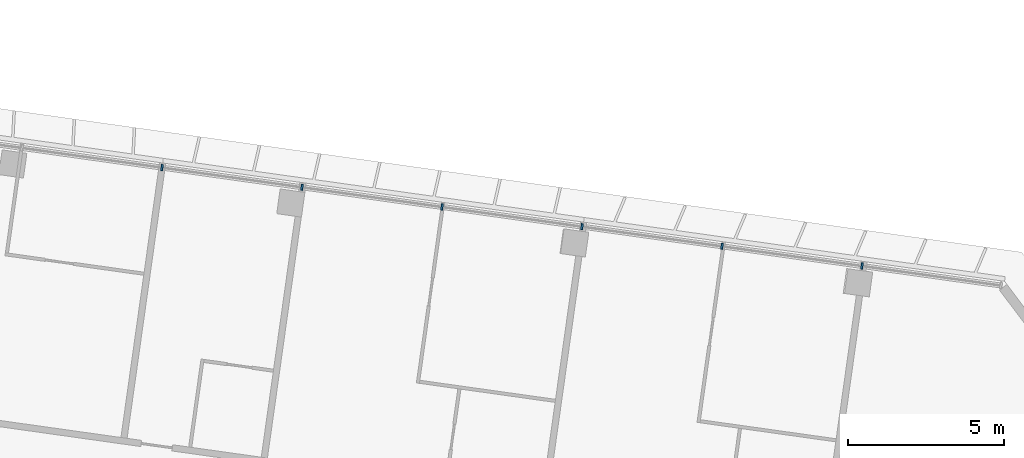
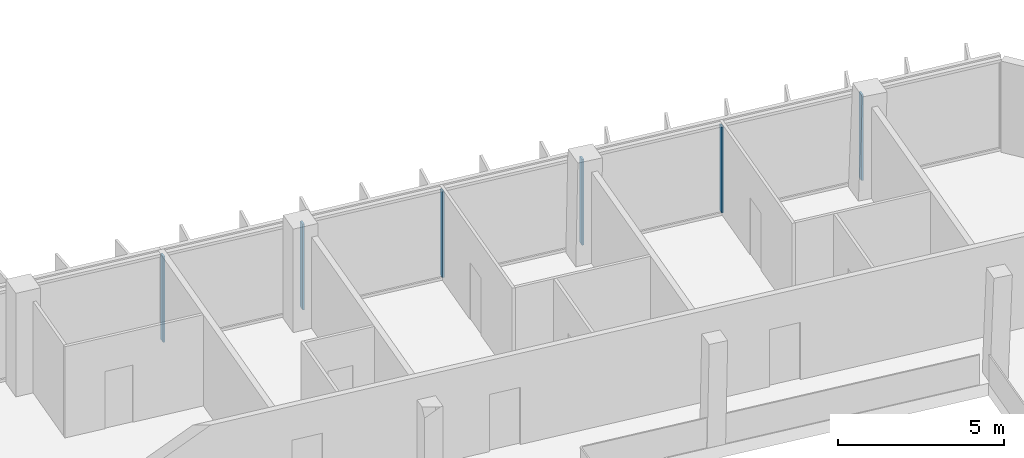
# One storey, part 5 of 25: 6 members, 1 element without a shape of its own.
"""IFC4 building model written with IfcOpenShell, lengths in metres."""

from ifc_helpers import new_model, si_unit, direction, frame, origin, origin_2d, place, context, subcontext, project, spatial, rectangle, extrude, material, material_profile, profile_set, type_object, element, aggregate, save


model = new_model("IFC4")

# Units and contexts
model_context = context("Model", 3, precision=1e-05, world=origin(), true_north=direction((0.0, 1.0)))
body_context = subcontext(model_context, "Body", "Model", "MODEL_VIEW")
ifc_project = project(units=[si_unit("LENGTHUNIT", "METRE"), si_unit("AREAUNIT", "SQUARE_METRE"), si_unit("VOLUMEUNIT", "CUBIC_METRE"), si_unit("PLANEANGLEUNIT", "RADIAN"), si_unit("MASSUNIT", "GRAM", prefix="KILO")], contexts=[model_context])

# Site, building, storey
site_placement = place(None, origin())
site = spatial("IfcSite", under=ifc_project, at=site_placement, CompositionType="ELEMENT")
building_placement = place(site_placement, origin())
building = spatial("IfcBuilding", under=site, at=building_placement, Name="Mirante Cascada Hotel Towers", CompositionType="ELEMENT")
storey_placement = place(building_placement, frame((0.0, 0.0, 172.6)))
storey = spatial("IfcBuildingStorey", under=building, at=storey_placement, Name="L40", CompositionType="ELEMENT", Elevation=172.6)

# Curtain wall, members
ifc_material_1 = material(Name="Aluminium mullion and transom frame with clear laminated glass", Category="aluminium")
curtain_wall_type = type_object("IfcCurtainWallType", Name="Ribbon curtain wall ECW1", PredefinedType="NOTDEFINED", material=ifc_material_1)
curtain_wall_placement = place(storey_placement, origin())
curtain_wall = element("IfcCurtainWall", 1, at=curtain_wall_placement, inside=storey, type_object=curtain_wall_type, Name="Front ribbon wall T1 L40", PredefinedType="NOTDEFINED")
ifc_material_2 = material(Name="Anodised aluminium extrusion", Category="aluminium")
ifc_material_profile = material_profile(ifc_material_2, rectangle(XDim=0.2, YDim=0.065, at=origin_2d()), Name="ECW1 MULLION 65x200")
ifc_profile_set = profile_set([ifc_material_profile], Name="Anodised aluminium extrusion")
member_type = type_object("IfcMemberType", Name="ECW1 mullion 65x200", PredefinedType="MULLION", material=ifc_profile_set)
member_1_placement = place(storey_placement, frame((-58.3191, 21.0152, 0.1), z_axis=(0.0, 0.0, 1.0), x_axis=(0.1391731, 0.9902681, 0.0)))
member_1 = element("IfcMember", 2, at=member_1_placement, type_object=member_type, Name="ECW1 mullion 7", PredefinedType="MULLION", context=body_context, shape_type="SweptSolid", body=[
    extrude(rectangle(XDim=0.2, YDim=0.065, at=origin_2d()), origin(), (0.0, 0.0, 1.0), 3.15),
])
member_2_placement = place(storey_placement, frame((-53.8313, 20.3845, 0.1), z_axis=(0.0, 0.0, 1.0), x_axis=(0.1391731, 0.9902681, 0.0)))
member_2 = element("IfcMember", 3, at=member_2_placement, type_object=member_type, Name="ECW1 mullion 8", PredefinedType="MULLION", context=body_context, shape_type="SweptSolid", body=[
    extrude(rectangle(XDim=0.2, YDim=0.065, at=origin_2d()), origin(), (0.0, 0.0, 1.0), 3.15),
])
member_3_placement = place(storey_placement, frame((-49.3436, 19.7538, 0.1), z_axis=(0.0, 0.0, 1.0), x_axis=(0.1391731, 0.9902681, 0.0)))
member_3 = element("IfcMember", 4, at=member_3_placement, type_object=member_type, Name="ECW1 mullion 9", PredefinedType="MULLION", context=body_context, shape_type="SweptSolid", body=[
    extrude(rectangle(XDim=0.2, YDim=0.065, at=origin_2d()), origin(), (0.0, 0.0, 1.0), 3.15),
])
member_4_placement = place(storey_placement, frame((-44.8558, 19.1231, 0.1), z_axis=(0.0, 0.0, 1.0), x_axis=(0.1391731, 0.9902681, 0.0)))
member_4 = element("IfcMember", 5, at=member_4_placement, type_object=member_type, Name="ECW1 mullion 10", PredefinedType="MULLION", context=body_context, shape_type="SweptSolid", body=[
    extrude(rectangle(XDim=0.2, YDim=0.065, at=origin_2d()), origin(), (0.0, 0.0, 1.0), 3.15),
])
member_5_placement = place(storey_placement, frame((-40.368, 18.4924, 0.1), z_axis=(0.0, 0.0, 1.0), x_axis=(0.1391731, 0.9902681, 0.0)))
member_5 = element("IfcMember", 6, at=member_5_placement, type_object=member_type, Name="ECW1 mullion 11", PredefinedType="MULLION", context=body_context, shape_type="SweptSolid", body=[
    extrude(rectangle(XDim=0.2, YDim=0.065, at=origin_2d()), origin(), (0.0, 0.0, 1.0), 3.15),
])
member_6_placement = place(storey_placement, frame((-35.8803, 17.8617, 0.1), z_axis=(0.0, 0.0, 1.0), x_axis=(0.1391731, 0.9902681, 0.0)))
member_6 = element("IfcMember", 7, at=member_6_placement, type_object=member_type, Name="ECW1 mullion 12", PredefinedType="MULLION", context=body_context, shape_type="SweptSolid", body=[
    extrude(rectangle(XDim=0.2, YDim=0.065, at=origin_2d()), origin(), (0.0, 0.0, 1.0), 3.15),
])
aggregate(curtain_wall, [member_1, member_2, member_3, member_4, member_5, member_6])

save(model, "model.ifc")
